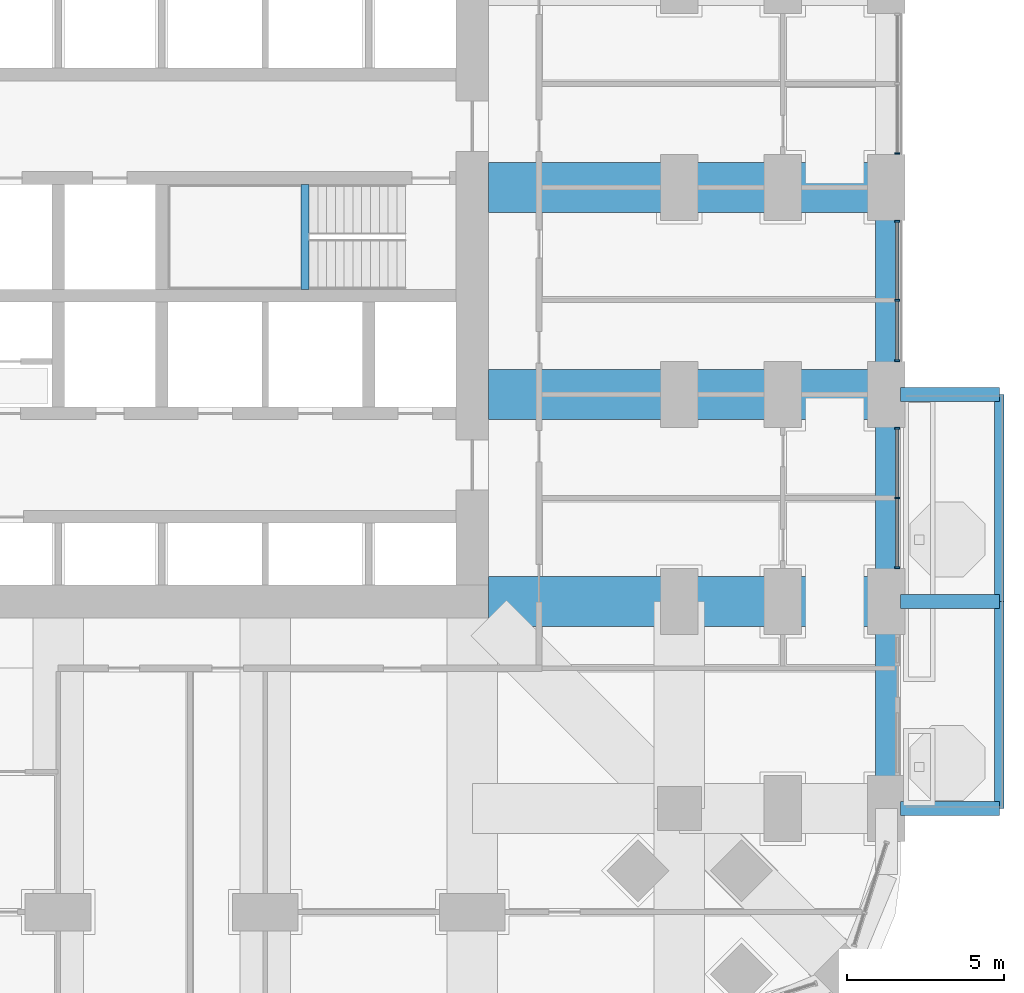
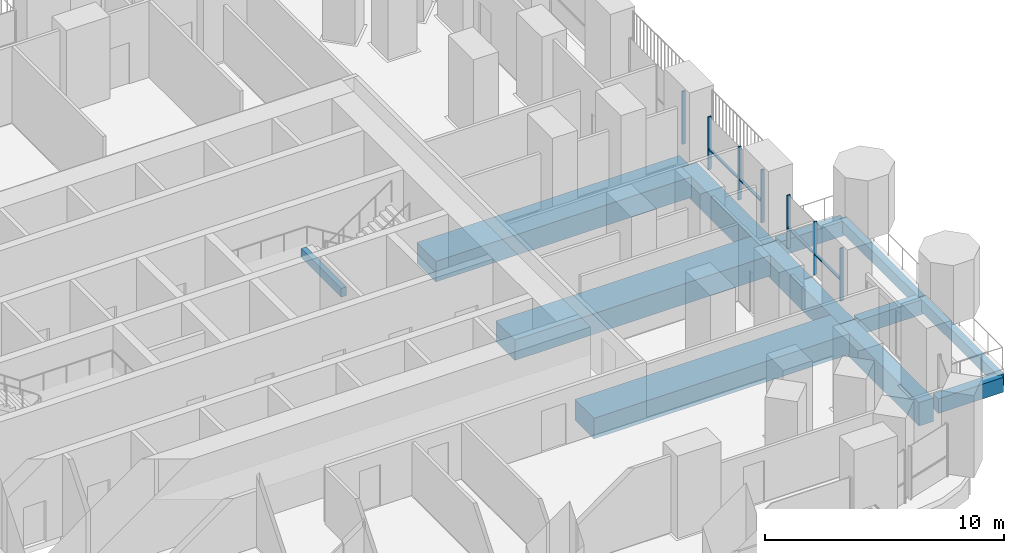
# One storey, part 6 of 27: 12 beams, 11 members, 3 elements without a shape of their own.
"""IFC4 building model written with IfcOpenShell, lengths in metres."""

from ifc_helpers import new_model, si_unit, direction, frame, origin, origin_2d, place, context, subcontext, project, spatial, rectangle, extrude, material, material_profile, profile_set, type_object, element, aggregate, save


model = new_model("IFC4")

# Units and contexts
model_context = context("Model", 3, precision=1e-05, world=origin(), true_north=direction((0.0, 1.0)))
body_context = subcontext(model_context, "Body", "Model", "MODEL_VIEW")
ifc_project = project(units=[si_unit("LENGTHUNIT", "METRE"), si_unit("AREAUNIT", "SQUARE_METRE"), si_unit("VOLUMEUNIT", "CUBIC_METRE"), si_unit("PLANEANGLEUNIT", "RADIAN"), si_unit("MASSUNIT", "GRAM", prefix="KILO")], contexts=[model_context])

# Site, building, storey
site_placement = place(None, origin())
site = spatial("IfcSite", under=ifc_project, at=site_placement, CompositionType="ELEMENT")
building_placement = place(site_placement, origin())
building = spatial("IfcBuilding", under=site, at=building_placement, Name="Cobogo Forest Laboratory Tower", CompositionType="ELEMENT")
storey_placement = place(building_placement, frame((0.0, 0.0, 54.89990234375)))
storey = spatial("IfcBuildingStorey", under=building, at=storey_placement, Name="L12", CompositionType="ELEMENT", Elevation=54.89990234375)

# Beams
ifc_material_1 = material(Name="Concrete HA-40 (C40/50)", Category="concrete")
ifc_material_profile_1 = material_profile(ifc_material_1, rectangle(XDim=0.449951171875, YDim=0.75, at=origin_2d()), Name="RC 450x750")
ifc_profile_set_1 = profile_set([ifc_material_profile_1], Name="Concrete HA-40 (C40/50)")
beam_type_1 = type_object("IfcBeamType", Name="Balcony cantilever beam 450x750", PredefinedType="BEAM", material=ifc_profile_set_1)
for number, where, z_axis, x_axis, name in (
    (1, (53.25, 6.60009765625, -0.625), (1.0, 0.0, 0.0), (0.0, 1.0, 0.0), "CB1 BAL-E1-C1 L12"),
    (2, (53.25, 13.199951171875, -0.625), (1.0, 0.0, 0.0), (0.0, 1.0, 0.0), "CB1 BAL-E1-C2 L12"),
    (3, (53.25, 19.800048828125, -0.625), (1.0, 0.0, 0.0), (0.0, 1.0, 0.0), "CB1 BAL-E1-C3 L12"),
):
    element("IfcBeam", number, at=place(storey_placement, frame(where, z_axis=z_axis, x_axis=x_axis)), inside=storey, type_object=beam_type_1, Name=name, PredefinedType="BEAM", context=body_context, shape_type="SweptSolid", body=[
        extrude(rectangle(XDim=0.449951171875, YDim=0.75, at=origin_2d()), origin(), (0.0, 0.0, 1.0), 3.14990234375),
    ])
ifc_material_profile_2 = material_profile(ifc_material_1, rectangle(XDim=0.300048828125, YDim=0.60009765625, at=origin_2d()), Name="RC 300x600")
ifc_profile_set_2 = profile_set([ifc_material_profile_2], Name="Concrete HA-40 (C40/50)")
beam_type_2 = type_object("IfcBeamType", Name="Balcony edge beam 300x600", PredefinedType="BEAM", material=ifc_profile_set_2)
beam_1_placement = place(storey_placement, frame((56.39990234375, 6.60009765625, -0.5498046875), z_axis=(0.0, 1.0, 0.0), x_axis=(-1.0, 0.0, 0.0)))
element("IfcBeam", 4, at=beam_1_placement, inside=storey, type_object=beam_type_2, Name="BB1 BAL-E1-T1 L12", PredefinedType="BEAM", context=body_context, shape_type="SweptSolid", body=[
    extrude(rectangle(XDim=0.300048828125, YDim=0.60009765625, at=origin_2d()), origin(), (0.0, 0.0, 1.0), 6.599853515625),
])
beam_2_placement = place(storey_placement, frame((56.39990234375, 13.199951171875, -0.5498046875), z_axis=(0.0, 1.0, 0.0), x_axis=(-1.0, 0.0, 0.0)))
element("IfcBeam", 5, at=beam_2_placement, inside=storey, type_object=beam_type_2, Name="BB1 BAL-E1-T2 L12", PredefinedType="BEAM", context=body_context, shape_type="SweptSolid", body=[
    extrude(rectangle(XDim=0.300048828125, YDim=0.60009765625, at=origin_2d()), origin(), (0.0, 0.0, 1.0), 6.60009765625),
])
ifc_material_profile_3 = material_profile(ifc_material_1, rectangle(XDim=0.25, YDim=0.449951171875, at=origin_2d()), Name="RC 250x450")
ifc_profile_set_3 = profile_set([ifc_material_profile_3], Name="Concrete HA-40 (C40/50)")
beam_type_3 = type_object("IfcBeamType", Name="LB1 landing beam 250x450", PredefinedType="BEAM", material=ifc_profile_set_3)
beam_3_placement = place(storey_placement, frame((34.27001953125, 23.14990234375, 1.675048828125), z_axis=(0.0, 1.0, 0.0), x_axis=(-1.0, 0.0, 0.0)))
element("IfcBeam", 6, at=beam_3_placement, inside=storey, type_object=beam_type_3, Name="Landing beam ST2 L12", PredefinedType="BEAM", context=body_context, shape_type="SweptSolid", body=[
    extrude(rectangle(XDim=0.25, YDim=0.449951171875, at=origin_2d()), origin(), (0.0, 0.0, 1.0), 3.35009765625),
])
ifc_material_2 = material(Name="Concrete HA-50 (C50/60)", Category="concrete")
ifc_material_profile_4 = material_profile(ifc_material_2, rectangle(XDim=1.60009765625, YDim=1.050048828125, at=origin_2d()), Name="RC 1600x1050")
ifc_profile_set_4 = profile_set([ifc_material_profile_4], Name="Concrete HA-50 (C50/60)")
beam_type_4 = type_object("IfcBeamType", Name="Laboratory floor wide beam 1600x1050", PredefinedType="BEAM", material=ifc_profile_set_4)
for number, where, z_axis, x_axis, name in (
    (7, (40.125, 13.199951171875, -0.824951171875), (1.0, 0.0, 0.0), (0.0, 1.0, 0.0), "RB8 R-C-E L12"),
    (8, (40.125, 19.800048828125, -0.824951171875), (1.0, 0.0, 0.0), (0.0, 1.0, 0.0), "RB8 R-D-E L12"),
    (9, (40.125, 26.39990234375, -0.824951171875), (1.0, 0.0, 0.0), (0.0, 1.0, 0.0), "RB8 R-E-E L12"),
):
    element("IfcBeam", number, at=place(storey_placement, frame(where, z_axis=z_axis, x_axis=x_axis)), inside=storey, type_object=beam_type_4, Name=name, PredefinedType="BEAM", context=body_context, shape_type="SweptSolid", body=[
        extrude(rectangle(XDim=1.60009765625, YDim=1.050048828125, at=origin_2d()), origin(), (0.0, 0.0, 1.0), 12.675048828125),
    ])

# Curtain wall, members
ifc_material_3 = material(Name="Aluminium curtain wall", Category="aluminium")
curtain_wall_type = type_object("IfcCurtainWallType", Name="CW-1 unitised curtain wall, clear glazing, laboratory floors zones A and B", PredefinedType="USERDEFINED", material=ifc_material_3)
curtain_wall_1_placement = place(storey_placement, origin())
curtain_wall_1 = element("IfcCurtainWall", 10, at=curtain_wall_1_placement, inside=storey, type_object=curtain_wall_type, Name="Curtain wall 11 L12", ObjectType="UNITISED CURTAIN WALL", PredefinedType="USERDEFINED")
ifc_material_4 = material(Name="Aluminium mullion", Category="aluminium")
ifc_material_profile_5 = material_profile(ifc_material_4, rectangle(XDim=0.06005859375, YDim=0.159912109375, at=origin_2d()), Name="AL 60x160")
ifc_profile_set_5 = profile_set([ifc_material_profile_5], Name="Aluminium mullion")
member_type_1 = type_object("IfcMemberType", Name="MU-1 aluminium mullion 60x160", PredefinedType="MULLION", material=ifc_profile_set_5)
member_1_placement = place(storey_placement, frame((53.14990234375, 14.280029296875, 0.0), z_axis=(0.0, 0.0, 1.0), x_axis=(0.0, 1.0, 0.0)))
member_1 = element("IfcMember", 11, at=member_1_placement, type_object=member_type_1, Name="CW-1 mullion 1", PredefinedType="MULLION", context=body_context, shape_type="SweptSolid", body=[
    extrude(rectangle(XDim=0.06005859375, YDim=0.159912109375, at=origin_2d()), origin(), (0.0, 0.0, 1.0), 2.7001953125),
])
member_2_placement = place(storey_placement, frame((53.14990234375, 16.5, 0.0), z_axis=(0.0, 0.0, 1.0), x_axis=(0.0, 1.0, 0.0)))
member_2 = element("IfcMember", 12, at=member_2_placement, type_object=member_type_1, Name="CW-1 mullion 2", PredefinedType="MULLION", context=body_context, shape_type="SweptSolid", body=[
    extrude(rectangle(XDim=0.06005859375, YDim=0.159912109375, at=origin_2d()), origin(), (0.0, 0.0, 1.0), 2.7001953125),
])
member_3_placement = place(storey_placement, frame((53.14990234375, 18.719970703125, 0.0), z_axis=(0.0, 0.0, 1.0), x_axis=(0.0, 1.0, 0.0)))
member_3 = element("IfcMember", 13, at=member_3_placement, type_object=member_type_1, Name="CW-1 mullion 3", PredefinedType="MULLION", context=body_context, shape_type="SweptSolid", body=[
    extrude(rectangle(XDim=0.06005859375, YDim=0.159912109375, at=origin_2d()), origin(), (0.0, 0.0, 1.0), 2.7001953125),
])

curtain_wall_2_placement = place(storey_placement, origin())
curtain_wall_2 = element("IfcCurtainWall", 14, at=curtain_wall_2_placement, inside=storey, type_object=curtain_wall_type, Name="Curtain wall 12 L12", ObjectType="UNITISED CURTAIN WALL", PredefinedType="USERDEFINED")
member_4_placement = place(storey_placement, frame((53.14990234375, 20.8798828125, 0.0), z_axis=(0.0, 0.0, 1.0), x_axis=(0.0, 1.0, 0.0)))
member_4 = element("IfcMember", 15, at=member_4_placement, type_object=member_type_1, Name="CW-1 mullion 1", PredefinedType="MULLION", context=body_context, shape_type="SweptSolid", body=[
    extrude(rectangle(XDim=0.06005859375, YDim=0.159912109375, at=origin_2d()), origin(), (0.0, 0.0, 1.0), 2.7001953125),
])
member_5_placement = place(storey_placement, frame((53.14990234375, 22.800048828125, 0.0), z_axis=(0.0, 0.0, 1.0), x_axis=(0.0, 1.0, 0.0)))
member_5 = element("IfcMember", 16, at=member_5_placement, type_object=member_type_1, Name="CW-1 mullion 2", PredefinedType="MULLION", context=body_context, shape_type="SweptSolid", body=[
    extrude(rectangle(XDim=0.06005859375, YDim=0.159912109375, at=origin_2d()), origin(), (0.0, 0.0, 1.0), 2.7001953125),
])
member_6_placement = place(storey_placement, frame((53.14990234375, 25.320068359375, 0.0), z_axis=(0.0, 0.0, 1.0), x_axis=(0.0, 1.0, 0.0)))
member_6 = element("IfcMember", 17, at=member_6_placement, type_object=member_type_1, Name="CW-1 mullion 3", PredefinedType="MULLION", context=body_context, shape_type="SweptSolid", body=[
    extrude(rectangle(XDim=0.06005859375, YDim=0.159912109375, at=origin_2d()), origin(), (0.0, 0.0, 1.0), 2.7001953125),
])

# Curtain wall, member
curtain_wall_3_placement = place(storey_placement, origin())
curtain_wall_3 = element("IfcCurtainWall", 18, at=curtain_wall_3_placement, inside=storey, type_object=curtain_wall_type, Name="Curtain wall 13 L12", ObjectType="UNITISED CURTAIN WALL", PredefinedType="USERDEFINED")
member_7_placement = place(storey_placement, frame((53.14990234375, 27.47998046875, 0.0), z_axis=(0.0, 0.0, 1.0), x_axis=(0.0, 1.0, 0.0)))
member_7 = element("IfcMember", 19, at=member_7_placement, type_object=member_type_1, Name="CW-1 mullion 1", PredefinedType="MULLION", context=body_context, shape_type="SweptSolid", body=[
    extrude(rectangle(XDim=0.06005859375, YDim=0.159912109375, at=origin_2d()), origin(), (0.0, 0.0, 1.0), 2.7001953125),
])
aggregate(curtain_wall_3, [member_7])

# Beams
ifc_material_profile_6 = material_profile(ifc_material_1, rectangle(XDim=0.699951171875, YDim=1.199951171875, at=origin_2d()), Name="RC 700x1200")
ifc_profile_set_6 = profile_set([ifc_material_profile_6], Name="Concrete HA-40 (C40/50)")
beam_type_5 = type_object("IfcBeamType", Name="Perimeter edge beam 700x1200", PredefinedType="BEAM", material=ifc_profile_set_6)
beam_4_placement = place(storey_placement, frame((52.800048828125, 6.60009765625, -0.89990234375), z_axis=(0.0, 1.0, 0.0), x_axis=(-1.0, 0.0, 0.0)))
element("IfcBeam", 20, at=beam_4_placement, inside=storey, type_object=beam_type_5, Name="EB1 E-E1 L12", PredefinedType="BEAM", context=body_context, shape_type="SweptSolid", body=[
    extrude(rectangle(XDim=0.699951171875, YDim=1.199951171875, at=origin_2d()), origin(), (0.0, 0.0, 1.0), 6.599853515625),
])
beam_5_placement = place(storey_placement, frame((52.800048828125, 13.199951171875, -0.89990234375), z_axis=(0.0, 1.0, 0.0), x_axis=(-1.0, 0.0, 0.0)))
element("IfcBeam", 21, at=beam_5_placement, inside=storey, type_object=beam_type_5, Name="EB1 E-E2 L12", PredefinedType="BEAM", context=body_context, shape_type="SweptSolid", body=[
    extrude(rectangle(XDim=0.699951171875, YDim=1.199951171875, at=origin_2d()), origin(), (0.0, 0.0, 1.0), 6.60009765625),
])
beam_6_placement = place(storey_placement, frame((52.800048828125, 19.800048828125, -0.89990234375), z_axis=(0.0, 1.0, 0.0), x_axis=(-1.0, 0.0, 0.0)))
element("IfcBeam", 22, at=beam_6_placement, inside=storey, type_object=beam_type_5, Name="EB1 E-E3 L12", PredefinedType="BEAM", context=body_context, shape_type="SweptSolid", body=[
    extrude(rectangle(XDim=0.699951171875, YDim=1.199951171875, at=origin_2d()), origin(), (0.0, 0.0, 1.0), 6.599853515625),
])

# Member
ifc_material_5 = material(Name="Aluminium transom", Category="aluminium")
ifc_material_profile_7 = material_profile(ifc_material_5, rectangle(XDim=0.1201171875, YDim=0.06005859375, at=origin_2d()), Name="AL 60x120")
ifc_profile_set_7 = profile_set([ifc_material_profile_7], Name="Aluminium transom")
member_type_2 = type_object("IfcMemberType", Name="TR-1 aluminium transom 60x120", PredefinedType="USERDEFINED", material=ifc_profile_set_7)
member_8_placement = place(storey_placement, frame((53.14990234375, 14.31005859375, 1.050048828125), z_axis=(0.0, 1.0, 0.0), x_axis=(-1.0, 0.0, 0.0)))
member_8 = element("IfcMember", 23, at=member_8_placement, type_object=member_type_2, Name="CW-1 transom 1.1", ObjectType="TRANSOM", PredefinedType="USERDEFINED", context=body_context, shape_type="SweptSolid", body=[
    extrude(rectangle(XDim=0.1201171875, YDim=0.06005859375, at=origin_2d()), origin(), (0.0, 0.0, 1.0), 2.159912109375),
])

member_9_placement = place(storey_placement, frame((53.14990234375, 16.530029296875, 1.050048828125), z_axis=(0.0, 1.0, 0.0), x_axis=(-1.0, 0.0, 0.0)))
member_9 = element("IfcMember", 24, at=member_9_placement, type_object=member_type_2, Name="CW-1 transom 2.1", ObjectType="TRANSOM", PredefinedType="USERDEFINED", context=body_context, shape_type="SweptSolid", body=[
    extrude(rectangle(XDim=0.1201171875, YDim=0.06005859375, at=origin_2d()), origin(), (0.0, 0.0, 1.0), 2.159912109375),
])

aggregate(curtain_wall_1, [member_1, member_2, member_3, member_8, member_9])

member_10_placement = place(storey_placement, frame((53.14990234375, 20.909912109375, 1.050048828125), z_axis=(0.0, 1.0, 0.0), x_axis=(-1.0, 0.0, 0.0)))
member_10 = element("IfcMember", 25, at=member_10_placement, type_object=member_type_2, Name="CW-1 transom 1.1", ObjectType="TRANSOM", PredefinedType="USERDEFINED", context=body_context, shape_type="SweptSolid", body=[
    extrude(rectangle(XDim=0.1201171875, YDim=0.06005859375, at=origin_2d()), origin(), (0.0, 0.0, 1.0), 1.860107421875),
])

member_11_placement = place(storey_placement, frame((53.14990234375, 22.830078125, 1.050048828125), z_axis=(0.0, 1.0, 0.0), x_axis=(-1.0, 0.0, 0.0)))
member_11 = element("IfcMember", 26, at=member_11_placement, type_object=member_type_2, Name="CW-1 transom 2.1", ObjectType="TRANSOM", PredefinedType="USERDEFINED", context=body_context, shape_type="SweptSolid", body=[
    extrude(rectangle(XDim=0.1201171875, YDim=0.06005859375, at=origin_2d()), origin(), (0.0, 0.0, 1.0), 2.4599609375),
])

aggregate(curtain_wall_2, [member_4, member_5, member_6, member_10, member_11])

save(model, "model.ifc")
